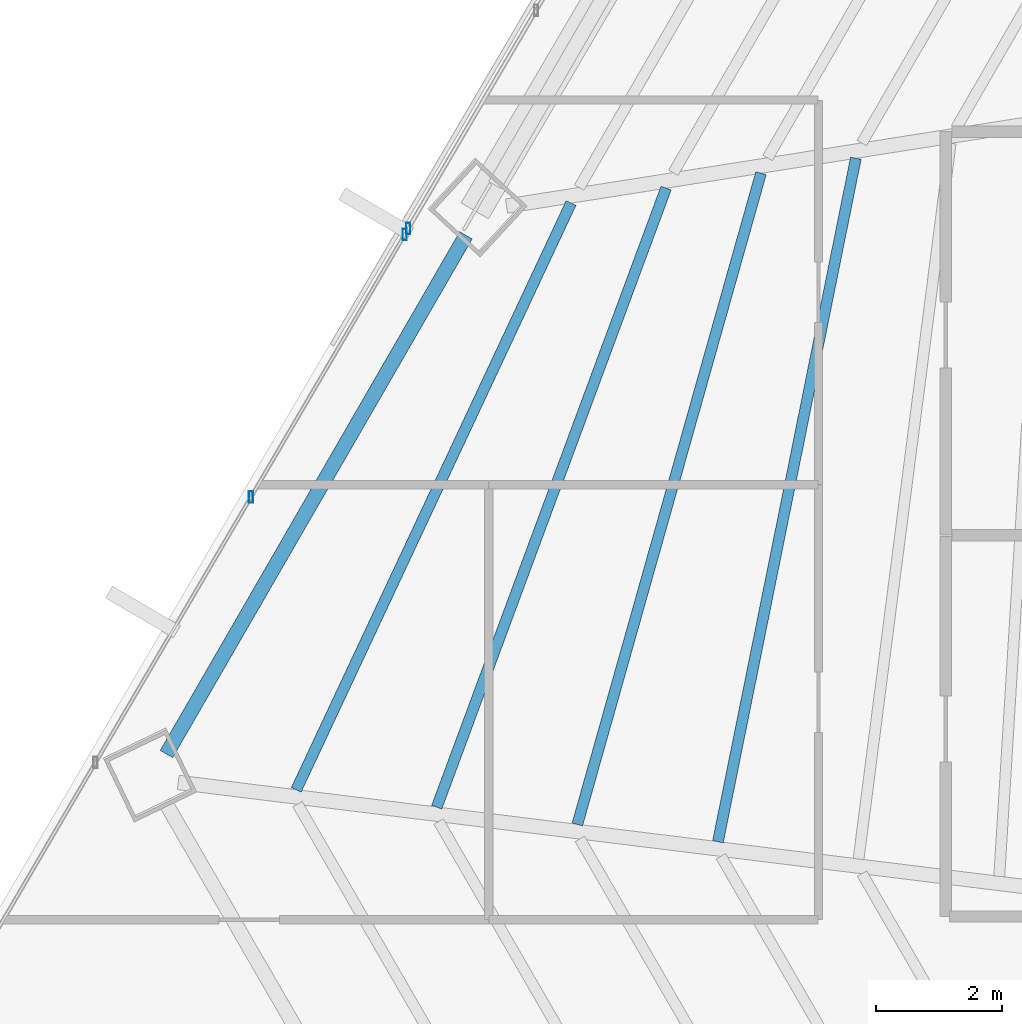
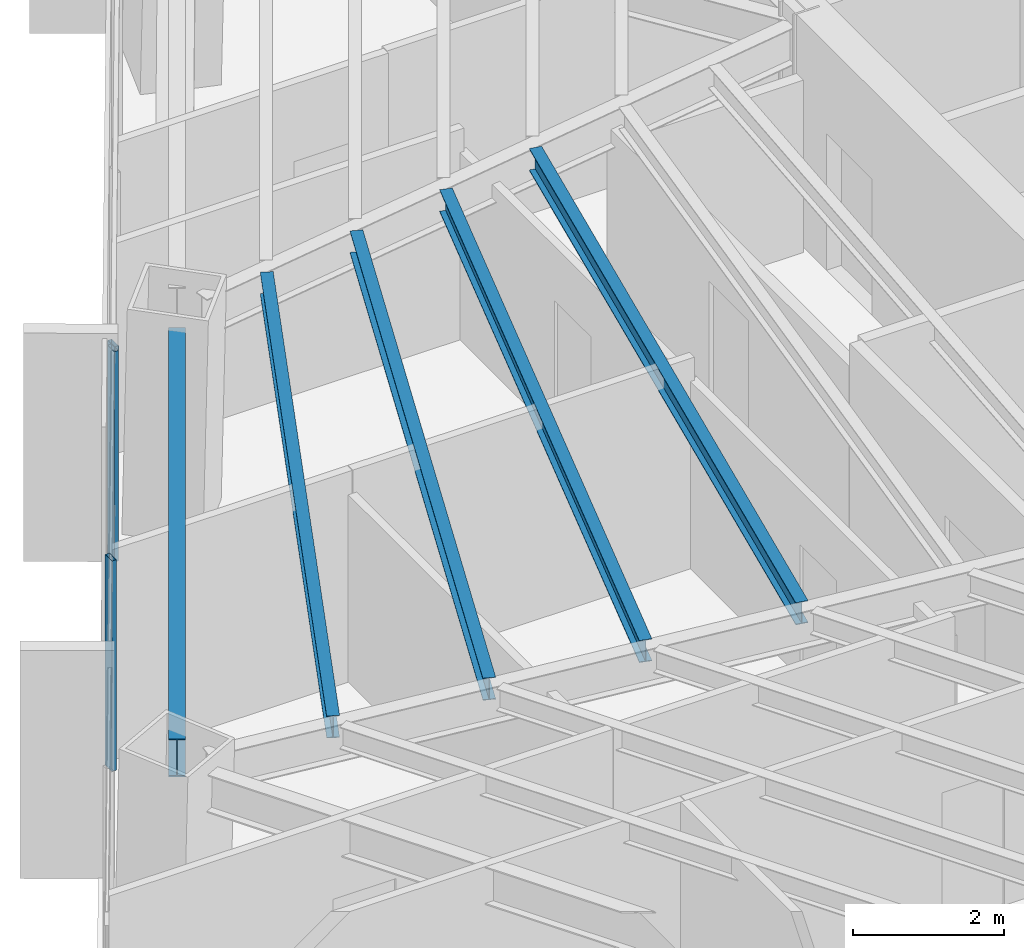
# One storey, part 12 of 35: 5 beams, 3 members, 2 elements without a shape of their own.
"""IFC4 building model written with IfcOpenShell, lengths in metres."""

import ifcopenshell
import ifcopenshell.guid

model = None  # the IFC model being written
_history = None  # IfcOwnerHistory: only IFC2X3 demands one
_inside = {}  # id of a spatial element -> (the spatial element, [elements in it])
_under = {}  # id of a project, library or spatial element -> (it, [spatial elements below it])
_declared = {}  # id of a project -> (the project, [libraries it declares])
_typed = {}  # id of a type object -> (the type object, [elements of that type])
_made_of = {}  # id of a material, layer set ... -> (it, [elements and type objects made of it])


def new_model(schema):
    """Start an empty IFC model of exactly this schema.

    Asked for "IFC4X3", IfcOpenShell would pick the latest addendum, in which some entities
    have other attributes; the version numbers below select the first issue.
    IFC2X3 requires an IfcOwnerHistory on every rooted entity: one is made here for all.
    """
    global model, _history
    if schema == "IFC4X3":
        model = ifcopenshell.file(schema_version=(4, 3, 0, 0))
    else:
        model = ifcopenshell.file(schema=schema)
    _inside.clear()
    _under.clear()
    _declared.clear()
    _typed.clear()
    _made_of.clear()
    _history = None
    if model.schema == "IFC2X3":
        org = make("IfcOrganization", Name="unknown")
        user = make(
            "IfcPersonAndOrganization",
            ThePerson=make("IfcPerson", FamilyName="unknown"),
            TheOrganization=org,
        )
        app = make(
            "IfcApplication",
            ApplicationDeveloper=org,
            Version="unknown",
            ApplicationFullName="unknown",
            ApplicationIdentifier="unknown",
        )
        _history = make(
            "IfcOwnerHistory",
            OwningUser=user,
            OwningApplication=app,
            ChangeAction="ADDED",
            CreationDate=0,
        )
    return model


def make(cls, **values):
    """One entity of the class cls with the attributes given. An attribute that is None is left unset."""
    return model.create_entity(
        cls, **{name: value for name, value in values.items() if value is not None}
    )


def rooted(cls, **values):
    """An entity with a GlobalId (a new one), such as an element, a storey or a relation."""
    return make(cls, GlobalId=ifcopenshell.guid.new(), OwnerHistory=_history, **values)


def si_unit(unit_type, name, prefix=None):
    """IfcSIUnit, for example si_unit("LENGTHUNIT", "METRE", prefix="MILLI")."""
    return make("IfcSIUnit", UnitType=unit_type, Prefix=prefix, Name=name)


def assignment(units):
    """IfcUnitAssignment: the units of a project."""
    return None if units is None else make("IfcUnitAssignment", Units=units)


def point(xyz):
    """IfcCartesianPoint."""
    return None if xyz is None else make("IfcCartesianPoint", Coordinates=xyz)


def direction(xyz):
    """IfcDirection."""
    return None if xyz is None else make("IfcDirection", DirectionRatios=xyz)


def frame(location, z_axis=None, x_axis=None):
    """IfcAxis2Placement3D, a coordinate frame: its origin and axes. An axis left out is left unset."""
    return make(
        "IfcAxis2Placement3D",
        Location=point(location),
        Axis=direction(z_axis),
        RefDirection=direction(x_axis),
    )


def frame_2d(location, x_axis=None):
    """IfcAxis2Placement2D, a coordinate frame in the plane: its origin and x axis."""
    return make(
        "IfcAxis2Placement2D", Location=point(location), RefDirection=direction(x_axis)
    )


def origin():
    """The frame at (0, 0, 0) with its axes left unset."""
    return frame((0.0, 0.0, 0.0))


def origin_2d():
    """The frame at (0, 0) in the plane with its x axis left unset."""
    return frame_2d((0.0, 0.0))


def place(relative_to, where):
    """IfcLocalPlacement: puts the frame where relative to a parent placement (None: the world)."""
    return make(
        "IfcLocalPlacement", PlacementRelTo=relative_to, RelativePlacement=where
    )


def context(
    kind, dimensions, precision=None, world=None, true_north=None, identifier=None
):
    """IfcGeometricRepresentationContext, for example the 3D "Model" context."""
    return make(
        "IfcGeometricRepresentationContext",
        ContextIdentifier=identifier,
        ContextType=kind,
        CoordinateSpaceDimension=dimensions,
        Precision=precision,
        WorldCoordinateSystem=world,
        TrueNorth=true_north,
    )


def subcontext(parent, identifier, kind, view, scale=None):
    """IfcGeometricRepresentationSubContext, for example "Body" below "Model"."""
    return make(
        "IfcGeometricRepresentationSubContext",
        ContextIdentifier=identifier,
        ContextType=kind,
        ParentContext=parent,
        TargetScale=scale,
        TargetView=view,
    )


def project(units=None, contexts=None):
    """IfcProject with its units and contexts."""
    return rooted(
        "IfcProject",
        Name="project",
        RepresentationContexts=contexts,
        UnitsInContext=assignment(units),
    )


def spatial(cls, under=None, at=None, **own):
    """A site, building, storey or space (cls), placed at a placement, below another one or the project."""
    s = rooted(cls, ObjectPlacement=at, **own)
    if under is not None:
        _under.setdefault(under.id(), (under, []))[1].append(s)
    return s


def profile(cls, at=None, kind="AREA", **sizes):
    """A parametric profile (cls). Its sizes go by their IFC names, for example OverallWidth=200.0."""
    return make(cls, ProfileType=kind, Position=at, **sizes)


def hollow_rectangle(**sizes):
    """IfcRectangleHollowProfileDef."""
    return profile("IfcRectangleHollowProfileDef", **sizes)


def i_section(**sizes):
    """IfcIShapeProfileDef."""
    return profile("IfcIShapeProfileDef", **sizes)


def extrude(swept, where, along, depth):
    """IfcExtrudedAreaSolid: the profile swept, set in the frame where, extruded along a direction by depth."""
    return make(
        "IfcExtrudedAreaSolid",
        SweptArea=swept,
        Position=where,
        ExtrudedDirection=direction(along),
        Depth=depth,
    )


def shape(context_of_items, identifier, shape_type, items):
    """IfcShapeRepresentation: the items that make up one representation, for example the "Body"."""
    return make(
        "IfcShapeRepresentation",
        ContextOfItems=context_of_items,
        RepresentationIdentifier=identifier,
        RepresentationType=shape_type,
        Items=items,
    )


def source(mapping_origin, context_of_items, identifier, shape_type, items):
    """IfcRepresentationMap: a shape defined once, which mapped items show again and again."""
    return make(
        "IfcRepresentationMap",
        MappingOrigin=mapping_origin,
        MappedRepresentation=shape(context_of_items, identifier, shape_type, items),
    )


def transform(
    local_origin,
    x_axis=None,
    y_axis=None,
    z_axis=None,
    scale=None,
    scale2=None,
    scale3=None,
    uniform=True,
):
    """IfcCartesianTransformationOperator3D, or its non-uniform kind. x_axis, y_axis, z_axis: its Axis1, 2, 3."""
    if uniform:
        return make(
            "IfcCartesianTransformationOperator3D",
            Axis1=direction(x_axis),
            Axis2=direction(y_axis),
            LocalOrigin=point(local_origin),
            Scale=scale,
            Axis3=direction(z_axis),
        )
    return make(
        "IfcCartesianTransformationOperator3DnonUniform",
        Axis1=direction(x_axis),
        Axis2=direction(y_axis),
        LocalOrigin=point(local_origin),
        Scale=scale,
        Axis3=direction(z_axis),
        Scale2=scale2,
        Scale3=scale3,
    )


def mapped(mapping_source, mapping_target):
    """IfcMappedItem: shows the shape of a source again, moved by a transform."""
    return make(
        "IfcMappedItem", MappingSource=mapping_source, MappingTarget=mapping_target
    )


def material(Name=None, Category=None):
    """IfcMaterial."""
    return make("IfcMaterial", Name=Name, Category=Category)


def material_profile(
    of_material, cross_section, Name=None, Category=None, Priority=None
):
    """IfcMaterialProfile: a cross section and its material."""
    return make(
        "IfcMaterialProfile",
        Name=Name,
        Material=of_material,
        Profile=cross_section,
        Priority=Priority,
        Category=Category,
    )


def profile_set(profiles, Name=None, composite=None):
    """IfcMaterialProfileSet."""
    return make(
        "IfcMaterialProfileSet",
        Name=Name,
        MaterialProfiles=profiles,
        CompositeProfile=composite,
    )


def made_of(thing, what):
    """Note that an element or type object is made of a material, layer set ...; save() writes the relation."""
    if what is not None:
        _made_of.setdefault(what.id(), (what, []))[1].append(thing)
    return thing


def type_object(cls, material=None, **own):
    """A type object (cls), such as IfcWallType, which elements share."""
    return made_of(rooted(cls, **own), material)


def type_shapes(of_type, sources):
    """Give a type object the sources (RepresentationMaps) that its elements show as mapped items."""
    of_type.RepresentationMaps = sources


def element(
    cls,
    number,
    at=None,
    inside=None,
    cuts=None,
    type_object=None,
    material=None,
    context=None,
    identifier="Body",
    shape_type=None,
    held_by="IfcProductDefinitionShape",
    body=None,
    shapes=None,
    **own,
):
    """One element of the class cls, such as IfcWall. Its Tag is "e" and its number.

    at: its placement. inside: the storey or other place that contains it. cuts: it is an
    opening in that element (IfcRelVoidsElement). A single representation is given by context,
    identifier, shape_type and body (its items); several are given by shapes. held_by: the class
    of the entity that holds the representations. save() writes the other relations.
    """
    e = rooted(cls, Tag="e%d" % number, ObjectPlacement=at, **own)
    if body is not None:
        shapes = [shape(context, identifier, shape_type, body)]
    if shapes is not None:
        e.Representation = make(held_by, Representations=shapes)
    if inside is not None:
        _inside.setdefault(inside.id(), (inside, []))[1].append(e)
    if cuts is not None:
        rooted(
            "IfcRelVoidsElement", RelatingBuildingElement=cuts, RelatedOpeningElement=e
        )
    if type_object is not None:
        _typed.setdefault(type_object.id(), (type_object, []))[1].append(e)
    return made_of(e, material)


def aggregate(whole, parts):
    """IfcRelAggregates: a whole, such as a stair, and the parts it consists of."""
    return rooted("IfcRelAggregates", RelatingObject=whole, RelatedObjects=parts)


def save(model, path):
    """Write the relations noted so far, then the file.

    IfcRelAggregates (storeys below a building ...), IfcRelContainedInSpatialStructure (elements
    in a storey), IfcRelDefinesByType, IfcRelAssociatesMaterial and IfcRelDeclares: one each for
    every whole, place, type object, material and project.
    """
    for whole, parts in _under.values():
        aggregate(whole, parts)
    for where, things in _inside.values():
        rooted(
            "IfcRelContainedInSpatialStructure",
            RelatedElements=things,
            RelatingStructure=where,
        )
    for kind, things in _typed.values():
        rooted("IfcRelDefinesByType", RelatedObjects=things, RelatingType=kind)
    for what, things in _made_of.values():
        rooted("IfcRelAssociatesMaterial", RelatedObjects=things, RelatingMaterial=what)
    for by, libraries in _declared.values():
        rooted("IfcRelDeclares", RelatingContext=by, RelatedDefinitions=libraries)
    model.write(path)


model = new_model("IFC4")

# Units and contexts
model_context = context("Model", 3, precision=1e-05, world=origin(), true_north=direction((0.0, 1.0)))
body_context = subcontext(model_context, "Body", "Model", "MODEL_VIEW")
ifc_project = project(units=[si_unit("LENGTHUNIT", "METRE"), si_unit("AREAUNIT", "SQUARE_METRE"), si_unit("VOLUMEUNIT", "CUBIC_METRE"), si_unit("PLANEANGLEUNIT", "RADIAN"), si_unit("MASSUNIT", "GRAM", prefix="KILO")], contexts=[model_context])

# Site, building, storey
site_placement = place(None, origin())
site = spatial("IfcSite", under=ifc_project, at=site_placement, CompositionType="ELEMENT")
building_placement = place(site_placement, origin())
building = spatial("IfcBuilding", under=site, at=building_placement, Name="Caelisora Broadcast Tower", CompositionType="ELEMENT")
storey_placement = place(building_placement, frame((0.0, 0.0, 98.10009765625)))
storey = spatial("IfcBuildingStorey", under=building, at=storey_placement, Name="L25", CompositionType="ELEMENT", Elevation=98.10009765625)

# Beams
ifc_material_1 = material(Name="Steel Grade 350 (AS/NZS 3679.1)", Category="steel")
ifc_material_profile_1 = material_profile(ifc_material_1, i_section(OverallWidth=0.22900390625, OverallDepth=0.611572265625, WebThickness=0.011962890625, FlangeThickness=0.01953125, at=origin_2d()), Name="Steel Grade 350 (AS/NZS 3679.1)")
ifc_profile_set_1 = profile_set([ifc_material_profile_1], Name="Steel Grade 350 (AS/NZS 3679.1)")
beam_type_1 = type_object("IfcBeamType", Name="PG03", PredefinedType="BEAM", material=ifc_profile_set_1)
shared_shape_1 = source(origin(), body_context, "Body", "SweptSolid", [
    extrude(i_section(OverallWidth=0.22900390625, OverallDepth=0.611572265625, WebThickness=0.011962890625, FlangeThickness=0.01953125, at=origin_2d()), origin(), (0.0, 0.0, 1.0), 9.500732421875),
])
type_shapes(beam_type_1, [shared_shape_1])
beam_1_placement = place(storey_placement, frame((19.80908203125, 27.955078125, 3.093994140625), z_axis=(-0.500013848956, -0.866017407938, 0.0), x_axis=(0.866017407938, -0.500013848956, 0.0)))
element("IfcBeam", 1, at=beam_1_placement, inside=storey, type_object=beam_type_1, Name="L25 beam PG03", PredefinedType="BEAM", context=body_context, shape_type="MappedRepresentation", body=[
    mapped(shared_shape_1, transform((0.0, 0.0, 0.0), scale=1.0)),
])
ifc_material_profile_2 = material_profile(ifc_material_1, i_section(OverallWidth=0.172119140625, OverallDepth=0.358642578125, WebThickness=0.008056640625, FlangeThickness=0.012939453125, at=origin_2d()), Name="Steel Grade 350 (AS/NZS 3679.1)")
ifc_profile_set_2 = profile_set([ifc_material_profile_2], Name="Steel Grade 350 (AS/NZS 3679.1)")
beam_type_2 = type_object("IfcBeamType", Name="SB02", PredefinedType="JOIST", material=ifc_profile_set_2)
shared_shape_2 = source(origin(), body_context, "Body", "SweptSolid", [
    extrude(i_section(OverallWidth=0.172119140625, OverallDepth=0.358642578125, WebThickness=0.008056640625, FlangeThickness=0.012939453125, at=origin_2d()), origin(), (0.0, 0.0, 1.0), 11.060791015625),
])
beam_2_placement = place(storey_placement, frame((25.993408203125, 29.177978515625, 3.220703125), z_axis=(-0.197792516663, -0.980243908602, 0.0), x_axis=(0.980243908602, -0.197792516663, 0.0)))
element("IfcBeam", 2, at=beam_2_placement, inside=storey, type_object=beam_type_2, Name="L25 beam SB02", PredefinedType="JOIST", context=body_context, shape_type="MappedRepresentation", body=[
    mapped(shared_shape_2, transform((0.0, 0.0, 0.0), scale=1.0)),
])
shared_shape_3 = source(origin(), body_context, "Body", "SweptSolid", [
    extrude(i_section(OverallWidth=0.172119140625, OverallDepth=0.358642578125, WebThickness=0.008056640625, FlangeThickness=0.012939453125, at=origin_2d()), origin(), (0.0, 0.0, 1.0), 10.73388671875),
])
beam_3_placement = place(storey_placement, frame((24.489013671875, 28.941162109375, 3.220703125), z_axis=(-0.271439096029, -0.962455618274, 0.0), x_axis=(0.962455618274, -0.271439096029, 0.0)))
element("IfcBeam", 3, at=beam_3_placement, inside=storey, type_object=beam_type_2, Name="L25 beam SB02", PredefinedType="JOIST", context=body_context, shape_type="MappedRepresentation", body=[
    mapped(shared_shape_3, transform((0.0, 0.0, 0.0), scale=1.0)),
])
shared_shape_4 = source(origin(), body_context, "Body", "SweptSolid", [
    extrude(i_section(OverallWidth=0.172119140625, OverallDepth=0.358642578125, WebThickness=0.008056640625, FlangeThickness=0.012939453125, at=origin_2d()), origin(), (0.0, 0.0, 1.0), 10.471435546875),
])
beam_4_placement = place(storey_placement, frame((22.983642578125, 28.7041015625, 3.220703125), z_axis=(-0.347390289448, -0.937720633663, 0.0), x_axis=(0.937720633663, -0.347390289448, 0.0)))
element("IfcBeam", 4, at=beam_4_placement, inside=storey, type_object=beam_type_2, Name="L25 beam SB02", PredefinedType="JOIST", context=body_context, shape_type="MappedRepresentation", body=[
    mapped(shared_shape_4, transform((0.0, 0.0, 0.0), scale=1.0)),
])
shared_shape_5 = source(origin(), body_context, "Body", "SweptSolid", [
    extrude(i_section(OverallWidth=0.172119140625, OverallDepth=0.358642578125, WebThickness=0.008056640625, FlangeThickness=0.012939453125, at=origin_2d()), origin(), (0.0, 0.0, 1.0), 10.27783203125),
])
type_shapes(beam_type_2, [shared_shape_2, shared_shape_3, shared_shape_4, shared_shape_5])
beam_5_placement = place(storey_placement, frame((21.476318359375, 28.466796875, 3.220703125), z_axis=(-0.424149037057, -0.905592399683, 0.0), x_axis=(0.905592399683, -0.424149037057, 0.0)))
element("IfcBeam", 5, at=beam_5_placement, inside=storey, type_object=beam_type_2, Name="L25 beam SB02", PredefinedType="JOIST", context=body_context, shape_type="MappedRepresentation", body=[
    mapped(shared_shape_5, transform((0.0, 0.0, 0.0), scale=1.0)),
])

# Curtain wall, members
ifc_material_2 = material(Name="Unitised Aluminium and Low-E Glass Curtain Wall", Category="glass")
curtain_wall_type_1 = type_object("IfcCurtainWallType", Name="CW-Z2", PredefinedType="NOTDEFINED", material=ifc_material_2)
curtain_wall_1_placement = place(storey_placement, origin())
curtain_wall_1 = element("IfcCurtainWall", 6, at=curtain_wall_1_placement, inside=storey, type_object=curtain_wall_type_1, Name="L25 curtain wall CW-Z2", PredefinedType="NOTDEFINED")
ifc_material_3 = material(Name="Aluminium 6063-T6 Anodised Terracotta Bronze", Category="aluminium")
ifc_material_profile_3 = material_profile(ifc_material_3, hollow_rectangle(XDim=0.06494140625, YDim=0.179931640625, WallThickness=0.00341796875, at=origin_2d()), Name="Aluminium 6063-T6 Anodised Terracotta Bronze")
ifc_profile_set_3 = profile_set([ifc_material_profile_3], Name="Aluminium 6063-T6 Anodised Terracotta Bronze")
member_type = type_object("IfcMemberType", Name="CWM-02", PredefinedType="MULLION", material=ifc_profile_set_3)
shared_shape_6 = source(origin(), body_context, "Body", "SweptSolid", [
    extrude(hollow_rectangle(XDim=0.06494140625, YDim=0.179931640625, WallThickness=0.00341796875, at=origin_2d()), origin(), (0.0, 0.0, 1.0), 3.39990234375),
])
type_shapes(member_type, [shared_shape_6])
member_1_placement = place(storey_placement, frame((16.399169921875, 23.802001953125, 0.0), z_axis=(0.0, 0.0, 1.0), x_axis=(1.0, 0.0, 0.0)))
member_1 = element("IfcMember", 7, at=member_1_placement, type_object=member_type, Name="L25-CW-B09 mullion #2", PredefinedType="MULLION", context=body_context, shape_type="MappedRepresentation", body=[
    mapped(shared_shape_6, transform((0.0, 0.0, 0.0), scale=1.0)),
])
member_2_placement = place(storey_placement, frame((18.83935546875, 27.9677734375, 0.0), z_axis=(0.0, 0.0, 1.0), x_axis=(1.0, 0.0, 0.0)))
member_2 = element("IfcMember", 8, at=member_2_placement, type_object=member_type, Name="L25-CW-B09 mullion #3", PredefinedType="MULLION", context=body_context, shape_type="MappedRepresentation", body=[
    mapped(shared_shape_6, transform((0.0, 0.0, 0.0), scale=1.0)),
])
aggregate(curtain_wall_1, [member_1, member_2])

# Curtain wall, member
ifc_material_4 = material(Name="Unitised Aluminium Insulated Shadow-Box Spandrel Curtain Wall", Category="aluminium")
curtain_wall_type_2 = type_object("IfcCurtainWallType", Name="CW-SP1", PredefinedType="NOTDEFINED", material=ifc_material_4)
curtain_wall_2_placement = place(storey_placement, origin())
curtain_wall_2 = element("IfcCurtainWall", 9, at=curtain_wall_2_placement, inside=storey, type_object=curtain_wall_type_2, Name="L25 curtain wall CW-SP1", PredefinedType="NOTDEFINED")
member_3_placement = place(storey_placement, frame((18.89501953125, 28.062744140625, 0.0), z_axis=(0.0, 0.0, 1.0), x_axis=(1.0, 0.0, 0.0)))
member_3 = element("IfcMember", 10, at=member_3_placement, type_object=member_type, Name="L25-CW-B10 mullion #0", PredefinedType="MULLION", context=body_context, shape_type="MappedRepresentation", body=[
    mapped(shared_shape_6, transform((0.0, 0.0, 0.0), scale=1.0)),
])
aggregate(curtain_wall_2, [member_3])

save(model, "model.ifc")
